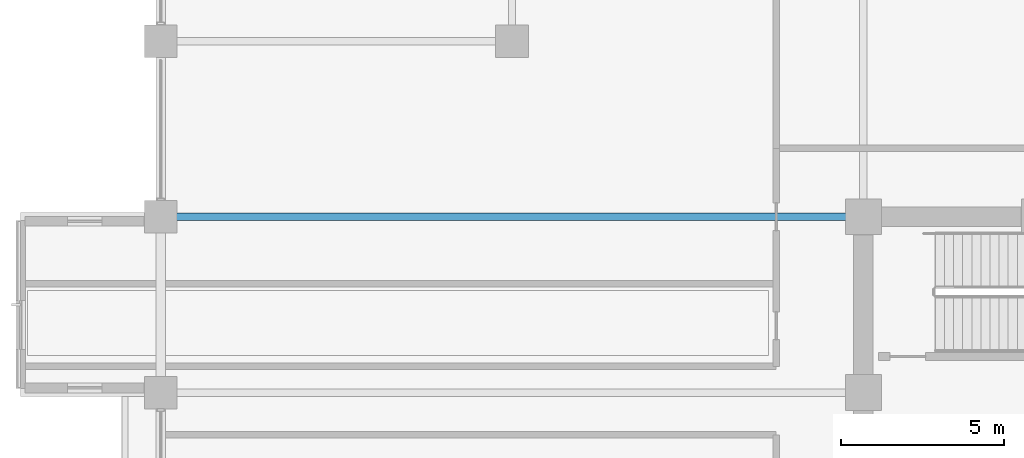
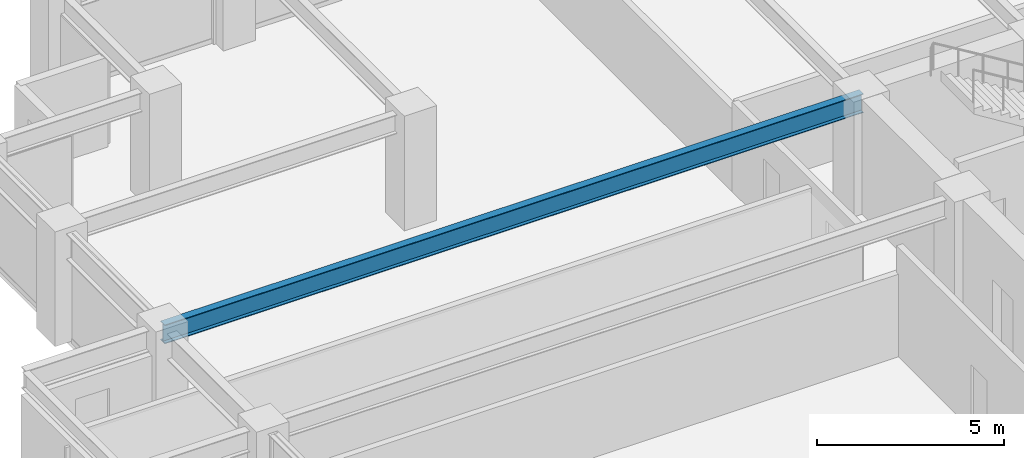
# One storey, part 11 of 29: 1 beam.
"""IFC4 building model written with IfcOpenShell, lengths in metres."""

from ifc_helpers import new_model, si_unit, direction, frame, origin, origin_2d, place, context, subcontext, project, spatial, i_section, extrude, material, material_profile, profile_set, type_object, element, save


model = new_model("IFC4")

# Units and contexts
model_context = context("Model", 3, precision=1e-05, world=origin(), true_north=direction((0.0, 1.0)))
body_context = subcontext(model_context, "Body", "Model", "MODEL_VIEW")
ifc_project = project(units=[si_unit("LENGTHUNIT", "METRE"), si_unit("AREAUNIT", "SQUARE_METRE"), si_unit("VOLUMEUNIT", "CUBIC_METRE"), si_unit("PLANEANGLEUNIT", "RADIAN"), si_unit("MASSUNIT", "GRAM", prefix="KILO")], contexts=[model_context])

# Site, building, storey
site_placement = place(None, origin())
site = spatial("IfcSite", under=ifc_project, at=site_placement, CompositionType="ELEMENT")
building_placement = place(site_placement, origin())
building = spatial("IfcBuilding", under=site, at=building_placement, Name="Surkhivell Harbour Commons", CompositionType="ELEMENT")
storey_placement = place(building_placement, frame((0.0, 0.0, 150.75)))
storey = spatial("IfcBuildingStorey", under=building, at=storey_placement, Name="L39", CompositionType="ELEMENT", Elevation=150.75)

# Beam
ifc_material = material(Name="Steel S355", Category="steel")
ifc_material_profile = material_profile(ifc_material, i_section(OverallWidth=0.22998046875, OverallDepth=0.616943359375, WebThickness=0.01318359375, FlangeThickness=0.022216796875, at=origin_2d()), Name="UB610x229x140")
ifc_profile_set = profile_set([ifc_material_profile], Name="Steel S355")
beam_type = type_object("IfcBeamType", Name="BM-GRD-610B", PredefinedType="BEAM", material=ifc_profile_set)
beam_placement = place(storey_placement, frame((-32.39990234375, 10.800048828125, 3.261474609375), z_axis=(1.0, 0.0, 0.0), x_axis=(0.0, 1.0, 0.0)))
element("IfcBeam", 1, at=beam_placement, inside=storey, type_object=beam_type, Name="L39 Cantilever Back-Span Girder (-32.4,10.8)", PredefinedType="BEAM", context=body_context, shape_type="SweptSolid", body=[
    extrude(i_section(OverallWidth=0.22998046875, OverallDepth=0.616943359375, WebThickness=0.01318359375, FlangeThickness=0.022216796875, at=origin_2d()), origin(), (0.0, 0.0, 1.0), 21.599853515625),
])

save(model, "model.ifc")
